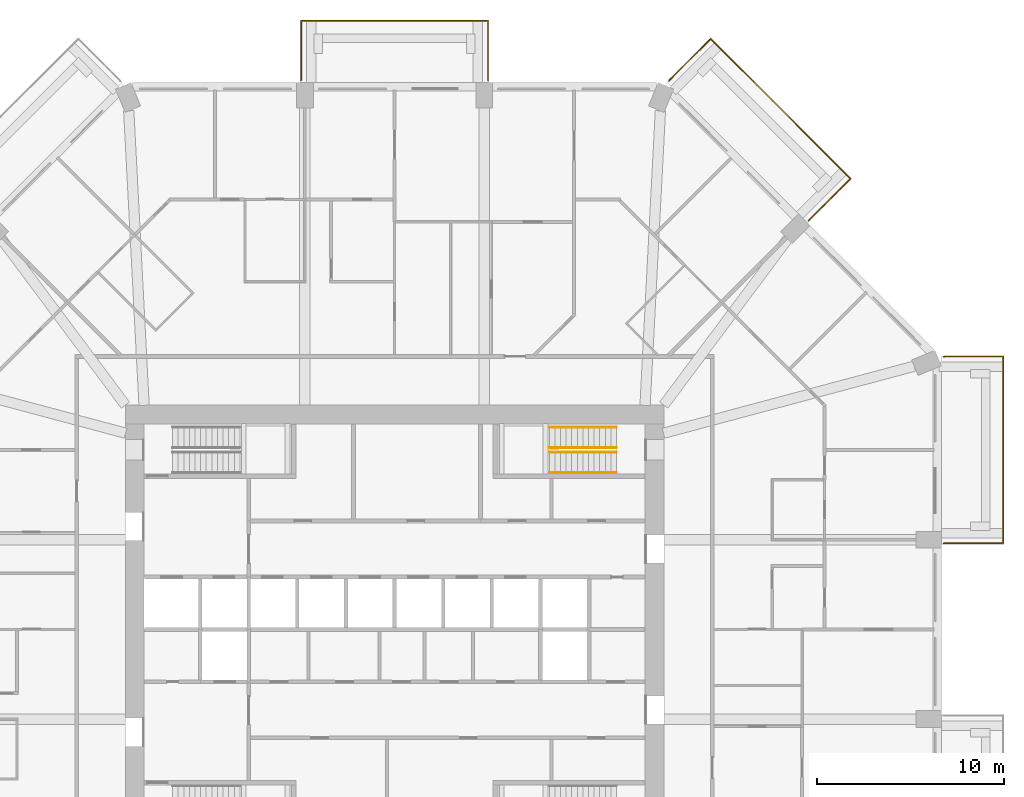
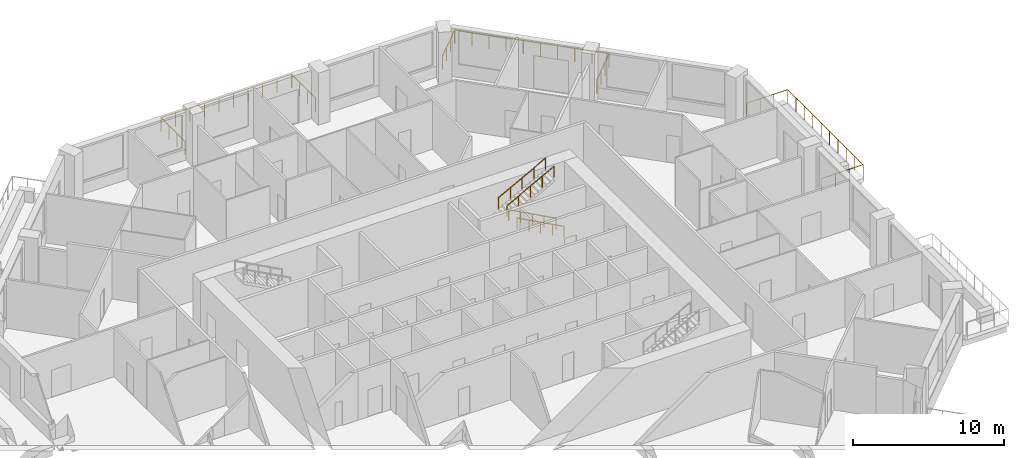
# One storey, part 13 of 13: 7 railings.
"""IFC4 building model written with IfcOpenShell, lengths in metres."""

from ifc_helpers import new_model, si_unit, direction, frame, origin, origin_2d, place, context, subcontext, project, spatial, circle, extrude, material, constituent, constituent_set, type_object, element, save


model = new_model("IFC4")

# Units and contexts
model_context = context("Model", 3, precision=1e-05, world=origin(), true_north=direction((0.0, 1.0)))
body_context = subcontext(model_context, "Body", "Model", "MODEL_VIEW")
ifc_project = project(units=[si_unit("LENGTHUNIT", "METRE"), si_unit("AREAUNIT", "SQUARE_METRE"), si_unit("VOLUMEUNIT", "CUBIC_METRE"), si_unit("PLANEANGLEUNIT", "RADIAN"), si_unit("MASSUNIT", "GRAM", prefix="KILO")], contexts=[model_context])

# Site, building, storey
site_placement = place(None, origin())
site = spatial("IfcSite", under=ifc_project, at=site_placement, CompositionType="ELEMENT")
building_placement = place(site_placement, origin())
building = spatial("IfcBuilding", under=site, at=building_placement, Name="Msitu Wima Residences", CompositionType="ELEMENT")
storey_placement = place(building_placement, frame((0.0, 0.0, 29.699951171875)))
storey = spatial("IfcBuildingStorey", under=building, at=storey_placement, Name="L06", CompositionType="ELEMENT", Elevation=29.699951171875)

# Railings
ifc_material_1 = material(Name="Steel S355", Category="steel")
ifc_constituent_1 = constituent(ifc_material_1, Name="Steel S355")
ifc_material_2 = material(Name="Weathering patina")
ifc_constituent_2 = constituent(ifc_material_2, Name="Weathering patina")
ifc_constituent_set_1 = constituent_set(constituents=[ifc_constituent_1, ifc_constituent_2], Name="Steel S355")
railing_type_1 = type_object("IfcRailingType", Name="Balcony guard GR1100", PredefinedType="GUARDRAIL", material=ifc_constituent_set_1)
railing_1_placement = place(storey_placement, frame((29.3798828125, 14.586181640625, 0.0)))
element("IfcRailing", 1, at=railing_1_placement, inside=storey, type_object=railing_type_1, Name="Balcony guard E2 L06", PredefinedType="GUARDRAIL", context=body_context, shape_type="SweptSolid", body=[
    extrude(circle(Radius=0.02392578125, at=origin_2d()), frame((0.0, 0.0, 1.076171875), z_axis=(0.92426142649, 0.38176015442, 0.0), x_axis=(-0.38176015442, 0.92426142649, 0.0)), (0.0, 0.0, 1.0), 0.036376953125),
    extrude(circle(Radius=0.02392578125, at=origin_2d()), frame((0.03369140625, 0.013916015625, 1.076171875), z_axis=(1.0, 0.0, 0.0), x_axis=(0.0, 1.0, 0.0)), (0.0, 0.0, 1.0), 3.136474609375),
    extrude(circle(Radius=0.02392578125, at=origin_2d()), frame((3.170166015625, 0.013916015625, 1.076171875), z_axis=(0.0, -1.0, 0.0), x_axis=(1.0, 0.0, 0.0)), (0.0, 0.0, 1.0), 10.0),
    extrude(circle(Radius=0.02392578125, at=origin_2d()), frame((3.170166015625, -9.986083984375, 1.076171875), z_axis=(-1.0, 0.0, 0.0), x_axis=(0.0, -1.0, 0.0)), (0.0, 0.0, 1.0), 3.170166015625),
    extrude(circle(Radius=0.02099609375, at=origin_2d()), origin(), (0.0, 0.0, 1.0), 1.052001953125),
    extrude(circle(Radius=0.02099609375, at=origin_2d()), frame((0.03369140625, 0.013916015625, 0.0)), (0.0, 0.0, 1.0), 1.052001953125),
    extrude(circle(Radius=0.02099609375, at=origin_2d()), frame((1.0791015625, 0.013916015625, 0.0)), (0.0, 0.0, 1.0), 1.052001953125),
    extrude(circle(Radius=0.02099609375, at=origin_2d()), frame((2.124755859375, 0.013916015625, 0.0)), (0.0, 0.0, 1.0), 1.052001953125),
    extrude(circle(Radius=0.02099609375, at=origin_2d()), frame((3.170166015625, 0.013916015625, 0.0)), (0.0, 0.0, 1.0), 1.052001953125),
    extrude(circle(Radius=0.02099609375, at=origin_2d()), frame((3.170166015625, -1.09716796875, 0.0)), (0.0, 0.0, 1.0), 1.052001953125),
    extrude(circle(Radius=0.02099609375, at=origin_2d()), frame((3.170166015625, -2.208251953125, 0.0)), (0.0, 0.0, 1.0), 1.052001953125),
    extrude(circle(Radius=0.02099609375, at=origin_2d()), frame((3.170166015625, -3.3193359375, 0.0)), (0.0, 0.0, 1.0), 1.052001953125),
    extrude(circle(Radius=0.02099609375, at=origin_2d()), frame((3.170166015625, -4.430419921875, 0.0)), (0.0, 0.0, 1.0), 1.052001953125),
    extrude(circle(Radius=0.02099609375, at=origin_2d()), frame((3.170166015625, -5.541748046875, 0.0)), (0.0, 0.0, 1.0), 1.052001953125),
    extrude(circle(Radius=0.02099609375, at=origin_2d()), frame((3.170166015625, -6.65283203125, 0.0)), (0.0, 0.0, 1.0), 1.052001953125),
    extrude(circle(Radius=0.02099609375, at=origin_2d()), frame((3.170166015625, -7.763916015625, 0.0)), (0.0, 0.0, 1.0), 1.052001953125),
    extrude(circle(Radius=0.02099609375, at=origin_2d()), frame((3.170166015625, -8.875, 0.0)), (0.0, 0.0, 1.0), 1.052001953125),
    extrude(circle(Radius=0.02099609375, at=origin_2d()), frame((3.170166015625, -9.986083984375, 0.0)), (0.0, 0.0, 1.0), 1.052001953125),
    extrude(circle(Radius=0.02099609375, at=origin_2d()), frame((2.113525390625, -9.986083984375, 0.0)), (0.0, 0.0, 1.0), 1.052001953125),
    extrude(circle(Radius=0.02099609375, at=origin_2d()), frame((1.056640625, -9.986083984375, 0.0)), (0.0, 0.0, 1.0), 1.052001953125),
    extrude(circle(Radius=0.02099609375, at=origin_2d()), frame((0.0, -9.986083984375, 0.0)), (0.0, 0.0, 1.0), 1.052001953125),
])
railing_2_placement = place(storey_placement, frame((14.678466796875, 29.341796875, 0.0)))
element("IfcRailing", 2, at=railing_2_placement, inside=storey, type_object=railing_type_1, Name="Balcony guard NE1 L06", PredefinedType="GUARDRAIL", context=body_context, shape_type="SweptSolid", body=[
    extrude(circle(Radius=0.02392578125, at=origin_2d()), frame((0.0, 0.0, 1.076171875), z_axis=(0.384136806859, 0.923276184907, 0.0), x_axis=(-0.923276184907, 0.384136806859, 0.0)), (0.0, 0.0, 1.0), 0.0361328125),
    extrude(circle(Radius=0.02392578125, at=origin_2d()), frame((0.013916015625, 0.033447265625, 1.076171875), z_axis=(0.707106781187, 0.707106781187, 0.0), x_axis=(-0.707106781187, 0.707106781187, 0.0)), (0.0, 0.0, 1.0), 3.136474609375),
    extrude(circle(Radius=0.02392578125, at=origin_2d()), frame((2.231689453125, 2.251220703125, 1.076171875), z_axis=(0.707118316465, -0.70709524572, 0.0), x_axis=(0.70709524572, 0.707118316465, 0.0)), (0.0, 0.0, 1.0), 10.582275390625),
    extrude(circle(Radius=0.02392578125, at=origin_2d()), frame((9.714599609375, -5.2314453125, 1.076171875), z_axis=(-0.707068272989, -0.707145287287, 0.0), x_axis=(0.707145287287, -0.707068272989, 0.0)), (0.0, 0.0, 1.0), 3.170166015625),
    extrude(circle(Radius=0.02099609375, at=origin_2d()), origin(), (0.0, 0.0, 1.0), 1.052001953125),
    extrude(circle(Radius=0.02099609375, at=origin_2d()), frame((0.013916015625, 0.033447265625, 0.0)), (0.0, 0.0, 1.0), 1.052001953125),
    extrude(circle(Radius=0.02099609375, at=origin_2d()), frame((0.753173828125, 0.772705078125, 0.0)), (0.0, 0.0, 1.0), 1.052001953125),
    extrude(circle(Radius=0.02099609375, at=origin_2d()), frame((1.492431640625, 1.511962890625, 0.0)), (0.0, 0.0, 1.0), 1.052001953125),
    extrude(circle(Radius=0.02099609375, at=origin_2d()), frame((2.231689453125, 2.251220703125, 0.0)), (0.0, 0.0, 1.0), 1.052001953125),
    extrude(circle(Radius=0.02099609375, at=origin_2d()), frame((3.063232421875, 1.419921875, 0.0)), (0.0, 0.0, 1.0), 1.052001953125),
    extrude(circle(Radius=0.02099609375, at=origin_2d()), frame((3.89453125, 0.58837890625, 0.0)), (0.0, 0.0, 1.0), 1.052001953125),
    extrude(circle(Radius=0.02099609375, at=origin_2d()), frame((4.72607421875, -0.242919921875, 0.0)), (0.0, 0.0, 1.0), 1.052001953125),
    extrude(circle(Radius=0.02099609375, at=origin_2d()), frame((5.557373046875, -1.074462890625, 0.0)), (0.0, 0.0, 1.0), 1.052001953125),
    extrude(circle(Radius=0.02099609375, at=origin_2d()), frame((6.388916015625, -1.90576171875, 0.0)), (0.0, 0.0, 1.0), 1.052001953125),
    extrude(circle(Radius=0.02099609375, at=origin_2d()), frame((7.22021484375, -2.7373046875, 0.0)), (0.0, 0.0, 1.0), 1.052001953125),
    extrude(circle(Radius=0.02099609375, at=origin_2d()), frame((8.0517578125, -3.568603515625, 0.0)), (0.0, 0.0, 1.0), 1.052001953125),
    extrude(circle(Radius=0.02099609375, at=origin_2d()), frame((8.883056640625, -4.400146484375, 0.0)), (0.0, 0.0, 1.0), 1.052001953125),
    extrude(circle(Radius=0.02099609375, at=origin_2d()), frame((9.714599609375, -5.2314453125, 0.0)), (0.0, 0.0, 1.0), 1.052001953125),
    extrude(circle(Radius=0.02099609375, at=origin_2d()), frame((8.967529296875, -5.978759765625, 0.0)), (0.0, 0.0, 1.0), 1.052001953125),
    extrude(circle(Radius=0.02099609375, at=origin_2d()), frame((8.22021484375, -6.725830078125, 0.0)), (0.0, 0.0, 1.0), 1.052001953125),
    extrude(circle(Radius=0.02099609375, at=origin_2d()), frame((7.47314453125, -7.47314453125, 0.0)), (0.0, 0.0, 1.0), 1.052001953125),
])
railing_3_placement = place(storey_placement, frame((-5.0, 29.3798828125, 0.0)))
element("IfcRailing", 3, at=railing_3_placement, inside=storey, type_object=railing_type_1, Name="Balcony guard N1 L06", PredefinedType="GUARDRAIL", context=body_context, shape_type="SweptSolid", body=[
    extrude(circle(Radius=0.02392578125, at=origin_2d()), frame((0.0, 0.0, 1.076171875), z_axis=(0.0, 1.0, 0.0), x_axis=(-1.0, 0.0, 0.0)), (0.0, 0.0, 1.0), 3.170166015625),
    extrude(circle(Radius=0.02392578125, at=origin_2d()), frame((0.0, 3.170166015625, 1.076171875), z_axis=(1.0, 0.0, 0.0), x_axis=(0.0, 1.0, 0.0)), (0.0, 0.0, 1.0), 10.0),
    extrude(circle(Radius=0.02392578125, at=origin_2d()), frame((10.0, 3.170166015625, 1.076171875), z_axis=(0.0, -1.0, 0.0), x_axis=(1.0, 0.0, 0.0)), (0.0, 0.0, 1.0), 3.170166015625),
    extrude(circle(Radius=0.02099609375, at=origin_2d()), origin(), (0.0, 0.0, 1.0), 1.052001953125),
    extrude(circle(Radius=0.02099609375, at=origin_2d()), frame((0.0, 1.056640625, 0.0)), (0.0, 0.0, 1.0), 1.052001953125),
    extrude(circle(Radius=0.02099609375, at=origin_2d()), frame((0.0, 2.113525390625, 0.0)), (0.0, 0.0, 1.0), 1.052001953125),
    extrude(circle(Radius=0.02099609375, at=origin_2d()), frame((0.0, 3.170166015625, 0.0)), (0.0, 0.0, 1.0), 1.052001953125),
    extrude(circle(Radius=0.02099609375, at=origin_2d()), frame((1.111083984375, 3.170166015625, 0.0)), (0.0, 0.0, 1.0), 1.052001953125),
    extrude(circle(Radius=0.02099609375, at=origin_2d()), frame((2.22216796875, 3.170166015625, 0.0)), (0.0, 0.0, 1.0), 1.052001953125),
    extrude(circle(Radius=0.02099609375, at=origin_2d()), frame((3.333251953125, 3.170166015625, 0.0)), (0.0, 0.0, 1.0), 1.052001953125),
    extrude(circle(Radius=0.02099609375, at=origin_2d()), frame((4.4443359375, 3.170166015625, 0.0)), (0.0, 0.0, 1.0), 1.052001953125),
    extrude(circle(Radius=0.02099609375, at=origin_2d()), frame((5.5556640625, 3.170166015625, 0.0)), (0.0, 0.0, 1.0), 1.052001953125),
    extrude(circle(Radius=0.02099609375, at=origin_2d()), frame((6.666748046875, 3.170166015625, 0.0)), (0.0, 0.0, 1.0), 1.052001953125),
    extrude(circle(Radius=0.02099609375, at=origin_2d()), frame((7.77783203125, 3.170166015625, 0.0)), (0.0, 0.0, 1.0), 1.052001953125),
    extrude(circle(Radius=0.02099609375, at=origin_2d()), frame((8.888916015625, 3.170166015625, 0.0)), (0.0, 0.0, 1.0), 1.052001953125),
    extrude(circle(Radius=0.02099609375, at=origin_2d()), frame((10.0, 3.170166015625, 0.0)), (0.0, 0.0, 1.0), 1.052001953125),
    extrude(circle(Radius=0.02099609375, at=origin_2d()), frame((10.0, 2.113525390625, 0.0)), (0.0, 0.0, 1.0), 1.052001953125),
    extrude(circle(Radius=0.02099609375, at=origin_2d()), frame((10.0, 1.056640625, 0.0)), (0.0, 0.0, 1.0), 1.052001953125),
    extrude(circle(Radius=0.02099609375, at=origin_2d()), frame((10.0, 0.0, 0.0)), (0.0, 0.0, 1.0), 1.052001953125),
])
ifc_constituent_3 = constituent(ifc_material_1, Name="Steel S355")
ifc_material_3 = material(Name="Black powder coating")
ifc_constituent_4 = constituent(ifc_material_3, Name="Black powder coating")
ifc_constituent_set_2 = constituent_set(constituents=[ifc_constituent_3, ifc_constituent_4], Name="Steel S355")
railing_type_2 = type_object("IfcRailingType", Name="Stair handrail HR1", PredefinedType="HANDRAIL", material=ifc_constituent_set_2)
for number, where, name in (
    (4, (11.875, 8.375, 0.16162109375), "Stair 3 handrail"),
    (5, (11.875, 9.47509765625, 0.16162109375), "Stair 3 handrail"),
):
    element("IfcRailing", number, at=place(storey_placement, frame(where)), inside=storey, type_object=railing_type_2, Name=name, PredefinedType="HANDRAIL", context=body_context, shape_type="SweptSolid", body=[
        extrude(circle(Radius=0.02392578125, at=origin_2d()), frame((0.0, 0.0, 0.8759765625), z_axis=(-0.880474934443, 0.0, 0.474092701714), x_axis=(0.0, -1.0, 0.0)), (0.0, 0.0, 1.0), 4.0888671875),
        extrude(circle(Radius=0.02099609375, at=origin_2d()), origin(), (0.0, 0.0, 1.0), 0.851806640625),
        extrude(circle(Radius=0.02099609375, at=origin_2d()), frame((-0.89990234375, 0.0, 0.484619140625)), (0.0, 0.0, 1.0), 0.851806640625),
        extrude(circle(Radius=0.02099609375, at=origin_2d()), frame((-1.800048828125, 0.0, 0.96923828125)), (0.0, 0.0, 1.0), 0.851806640625),
        extrude(circle(Radius=0.02099609375, at=origin_2d()), frame((-2.7001953125, 0.0, 1.453857421875)), (0.0, 0.0, 1.0), 0.851806640625),
        extrude(circle(Radius=0.02099609375, at=origin_2d()), frame((-3.60009765625, 0.0, 1.9384765625)), (0.0, 0.0, 1.0), 0.851806640625),
    ])
for number, where, name in (
    (6, (8.27490234375, 9.72509765625, 2.261474609375), "Stair 3 handrail"),
    (7, (8.27490234375, 10.824951171875, 2.261474609375), "Stair 3 handrail"),
):
    element("IfcRailing", number, at=place(storey_placement, frame(where)), inside=storey, type_object=railing_type_2, Name=name, PredefinedType="HANDRAIL", context=body_context, shape_type="SweptSolid", body=[
        extrude(circle(Radius=0.02392578125, at=origin_2d()), frame((0.0, 0.0, 0.8759765625), z_axis=(0.880474934443, 0.0, 0.474092701714), x_axis=(0.0, 1.0, 0.0)), (0.0, 0.0, 1.0), 4.0888671875),
        extrude(circle(Radius=0.02099609375, at=origin_2d()), origin(), (0.0, 0.0, 1.0), 0.851806640625),
        extrude(circle(Radius=0.02099609375, at=origin_2d()), frame((0.89990234375, 0.0, 0.484619140625)), (0.0, 0.0, 1.0), 0.851806640625),
        extrude(circle(Radius=0.02099609375, at=origin_2d()), frame((1.800048828125, 0.0, 0.96923828125)), (0.0, 0.0, 1.0), 0.851806640625),
        extrude(circle(Radius=0.02099609375, at=origin_2d()), frame((2.7001953125, 0.0, 1.453857421875)), (0.0, 0.0, 1.0), 0.851806640625),
        extrude(circle(Radius=0.02099609375, at=origin_2d()), frame((3.60009765625, 0.0, 1.9384765625)), (0.0, 0.0, 1.0), 0.851806640625),
    ])

save(model, "model.ifc")
